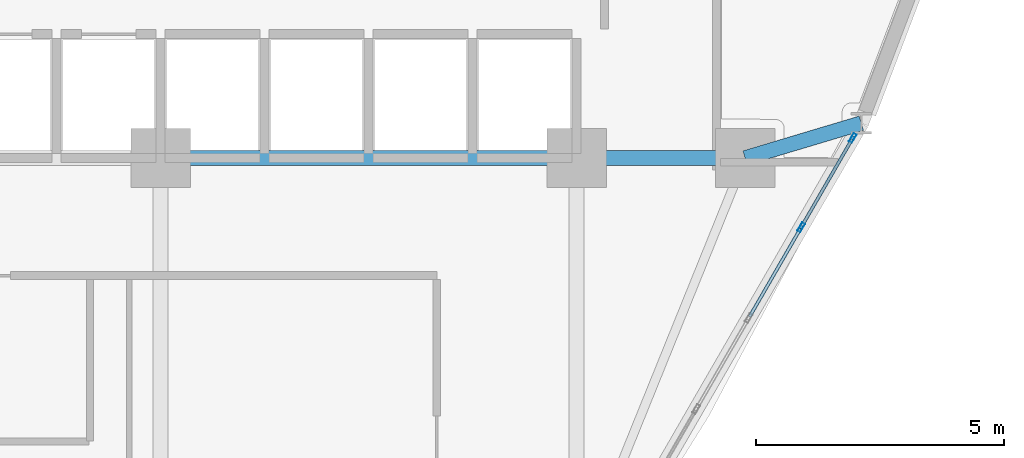
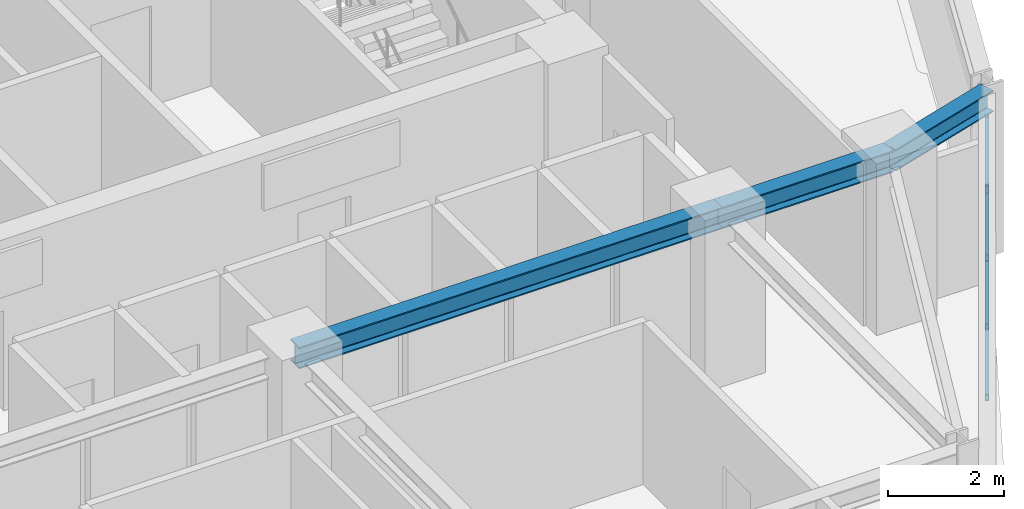
# One storey, part 8 of 18: 7 members, 3 beams, 1 element without a shape of its own.
"""IFC4 building model written with IfcOpenShell, lengths in metres."""

from ifc_helpers import new_model, si_unit, derived_unit, direction, frame, origin, origin_2d, place, context, subcontext, project, spatial, hollow_rectangle, i_section, extrude, source, transform, mapped, material, layer, layer_set, material_profile, profile_set, type_object, element, aggregate, save


model = new_model("IFC4")

# Units and contexts
model_context = context("Model", 3, precision=1e-05, world=origin(), true_north=direction((0.0, 1.0)))
body_context = subcontext(model_context, "Body", "Model", "MODEL_VIEW")
ifc_project = project(units=[si_unit("LENGTHUNIT", "METRE"), si_unit("AREAUNIT", "SQUARE_METRE"), si_unit("VOLUMEUNIT", "CUBIC_METRE"), si_unit("PLANEANGLEUNIT", "RADIAN"), si_unit("MASSUNIT", "GRAM", prefix="KILO"), derived_unit("THERMALTRANSMITTANCEUNIT", [(si_unit("POWERUNIT", "WATT"), 1), (si_unit("LENGTHUNIT", "METRE"), -2), (si_unit("THERMODYNAMICTEMPERATUREUNIT", "KELVIN"), -1)])], contexts=[model_context])

# Site, building, storey
site_placement = place(None, origin())
site = spatial("IfcSite", under=ifc_project, at=site_placement, CompositionType="ELEMENT")
building_placement = place(site_placement, origin())
building = spatial("IfcBuilding", under=site, at=building_placement, Name="Korsvarv Bourse and Concert Hall", CompositionType="ELEMENT")
storey_placement = place(building_placement, frame((0.0, 0.0, 139.800048828125)))
storey = spatial("IfcBuildingStorey", under=building, at=storey_placement, Name="L35", CompositionType="ELEMENT", Elevation=139.800048828125)

# Beams
ifc_material_1 = material(Name="Steel S355", Category="steel")
ifc_material_profile_1 = material_profile(ifc_material_1, i_section(OverallWidth=0.300048828125, OverallDepth=0.449951171875, WebThickness=0.013916015625, FlangeThickness=0.02587890625, FilletRadius=0.02099609375, at=origin_2d()), Name="HEB 450")
ifc_profile_set_1 = profile_set([ifc_material_profile_1], Name="Steel S355")
beam_type = type_object("IfcBeamType", Name="BM-HEB450", PredefinedType="SPANDREL", material=ifc_profile_set_1)
shared_shape_1 = source(origin(), body_context, "Body", "SweptSolid", [
    extrude(i_section(OverallWidth=0.300048828125, OverallDepth=0.449951171875, WebThickness=0.013916015625, FlangeThickness=0.02587890625, FilletRadius=0.02099609375, at=origin_2d()), origin(), (0.0, 0.0, 1.0), 3.400146484375),
])
beam_1_placement = place(storey_placement, frame((44.39990234375, 32.39990234375, 3.175048828125), z_axis=(1.0, 0.0, 0.0), x_axis=(0.0, 1.0, 0.0)))
element("IfcBeam", 1, at=beam_1_placement, inside=storey, type_object=beam_type, Name="L35 beam B-08", PredefinedType="SPANDREL", context=body_context, shape_type="MappedRepresentation", body=[
    mapped(shared_shape_1, transform((0.0, 0.0, 0.0), scale=1.0)),
])
shared_shape_2 = source(origin(), body_context, "Body", "SweptSolid", [
    extrude(i_section(OverallWidth=0.300048828125, OverallDepth=0.449951171875, WebThickness=0.013916015625, FlangeThickness=0.02587890625, FilletRadius=0.02099609375, at=origin_2d()), origin(), (0.0, 0.0, 1.0), 8.39990234375),
])
beam_2_placement = place(storey_placement, frame((36.0, 32.39990234375, 3.175048828125), z_axis=(1.0, 0.0, 0.0), x_axis=(0.0, 1.0, 0.0)))
element("IfcBeam", 2, at=beam_2_placement, inside=storey, type_object=beam_type, Name="L35 beam B-08", PredefinedType="SPANDREL", context=body_context, shape_type="MappedRepresentation", body=[
    mapped(shared_shape_2, transform((0.0, 0.0, 0.0), scale=1.0)),
])
shared_shape_3 = source(origin(), body_context, "Body", "SweptSolid", [
    extrude(i_section(OverallWidth=0.300048828125, OverallDepth=0.449951171875, WebThickness=0.013916015625, FlangeThickness=0.02587890625, FilletRadius=0.02099609375, at=origin_2d()), origin(), (0.0, 0.0, 1.0), 2.448974609375),
])
beam_3_placement = place(storey_placement, frame((50.14599609375, 33.1025390625, 3.175048828125), z_axis=(-0.957955150116, -0.286917985434, 0.0), x_axis=(0.286917985434, -0.957955150116, 0.0)))
element("IfcBeam", 3, at=beam_3_placement, inside=storey, type_object=beam_type, Name="L35 beam B-08", PredefinedType="SPANDREL", context=body_context, shape_type="MappedRepresentation", body=[
    mapped(shared_shape_3, transform((0.0, 0.0, 0.0), scale=1.0)),
])

# Curtain wall, members
ifc_material_2 = material(Name="Anodised aluminium and triple low-E glazing", Category="glass")
ifc_layer = layer(ifc_material_2, 0.2099609375)
ifc_layer_set = layer_set([ifc_layer], Name="Anodised aluminium and triple low-E glazing")
curtain_wall_type = type_object("IfcCurtainWallType", Name="CW-SYS-2", PredefinedType="NOTDEFINED", material=ifc_layer_set)
curtain_wall_placement = place(storey_placement, origin())
curtain_wall = element("IfcCurtainWall", 4, at=curtain_wall_placement, inside=storey, type_object=curtain_wall_type, Name="L35 CW2 curtain wall CW-L35-F11", PredefinedType="NOTDEFINED")
ifc_material_3 = material(Name="Extruded aluminium EN AW-6063 T66", Category="aluminium")
ifc_material_profile_2 = material_profile(ifc_material_3, hollow_rectangle(XDim=0.070068359375, YDim=0.18994140625, WallThickness=0.0048828125, at=origin_2d()), Name="ALU-M 70x190")
ifc_profile_set_2 = profile_set([ifc_material_profile_2], Name="Extruded aluminium EN AW-6063 T66")
member_type_1 = type_object("IfcMemberType", Name="CWM-190", PredefinedType="MULLION", material=ifc_profile_set_2)
shared_shape_4 = source(origin(), body_context, "Body", "SweptSolid", [
    extrude(hollow_rectangle(XDim=0.070068359375, YDim=0.18994140625, WallThickness=0.0048828125, at=origin_2d()), origin(), (0.0, 0.0, 1.0), 3.0),
])
member_1_placement = place(storey_placement, frame((48.9326171875, 31.00048828125, 0.0), z_axis=(0.0, 0.0, 1.0), x_axis=(-0.866025213439, 0.500000329688, 0.0)))
member_1 = element("IfcMember", 5, at=member_1_placement, type_object=member_type_1, Name="CW2 mullion 6", PredefinedType="MULLION", context=body_context, shape_type="MappedRepresentation", body=[
    mapped(shared_shape_4, transform((0.0, 0.0, 0.0), scale=1.0)),
])
member_2_placement = place(storey_placement, frame((49.97412109375, 32.8046875, 0.0), z_axis=(0.0, 0.0, 1.0), x_axis=(-0.866025213439, 0.500000329688, 0.0)))
member_2 = element("IfcMember", 6, at=member_2_placement, type_object=member_type_1, Name="CW2 mullion 7", PredefinedType="MULLION", context=body_context, shape_type="MappedRepresentation", body=[
    mapped(shared_shape_4, transform((0.0, 0.0, 0.0), scale=1.0)),
])
ifc_material_profile_3 = material_profile(ifc_material_3, hollow_rectangle(XDim=0.06494140625, YDim=0.139892578125, WallThickness=0.00390625, at=origin_2d()), Name="ALU-T 65x140")
ifc_profile_set_3 = profile_set([ifc_material_profile_3], Name="Extruded aluminium EN AW-6063 T66")
member_type_2 = type_object("IfcMemberType", Name="CWT-140", PredefinedType="USERDEFINED", material=ifc_profile_set_3)
shared_shape_5 = source(origin(), body_context, "Body", "SweptSolid", [
    extrude(hollow_rectangle(XDim=0.06494140625, YDim=0.139892578125, WallThickness=0.00390625, at=origin_2d()), origin(), (0.0, 0.0, 1.0), 2.013427734375),
])
member_3_placement = place(storey_placement, frame((48.949951171875, 31.03076171875, 0.032470703125), z_axis=(0.500051323872, 0.865995769906, 0.0), x_axis=(-0.865995769906, 0.500051323872, 0.0)))
member_3 = element("IfcMember", 7, at=member_3_placement, type_object=member_type_2, Name="CW2 transom 6.1", ObjectType="TRANSOM", PredefinedType="USERDEFINED", context=body_context, shape_type="MappedRepresentation", body=[
    mapped(shared_shape_5, transform((0.0, 0.0, 0.0), scale=1.0)),
])
member_4_placement = place(storey_placement, frame((48.949951171875, 31.03076171875, 2.967529296875), z_axis=(0.500051323872, 0.865995769906, 0.0), x_axis=(-0.865995769906, 0.500051323872, 0.0)))
member_4 = element("IfcMember", 8, at=member_4_placement, type_object=member_type_2, Name="CW2 transom 6.2", ObjectType="TRANSOM", PredefinedType="USERDEFINED", context=body_context, shape_type="MappedRepresentation", body=[
    mapped(shared_shape_5, transform((0.0, 0.0, 0.0), scale=1.0)),
])
shared_shape_6 = source(origin(), body_context, "Body", "SweptSolid", [
    extrude(hollow_rectangle(XDim=0.06494140625, YDim=0.139892578125, WallThickness=0.00390625, at=origin_2d()), origin(), (0.0, 0.0, 1.0), 2.04833984375),
])
member_5_placement = place(storey_placement, frame((47.890869140625, 29.1962890625, 0.032470703125), z_axis=(0.499997581422, 0.866026800146, 0.0), x_axis=(-0.866026800146, 0.499997581422, 0.0)))
member_5 = element("IfcMember", 9, at=member_5_placement, type_object=member_type_2, Name="CW2 transom 5.1", ObjectType="TRANSOM", PredefinedType="USERDEFINED", context=body_context, shape_type="MappedRepresentation", body=[
    mapped(shared_shape_6, transform((0.0, 0.0, 0.0), scale=1.0)),
])
member_6_placement = place(storey_placement, frame((47.890869140625, 29.1962890625, 2.967529296875), z_axis=(0.499997581422, 0.866026800146, 0.0), x_axis=(-0.866026800146, 0.499997581422, 0.0)))
member_6 = element("IfcMember", 10, at=member_6_placement, type_object=member_type_2, Name="CW2 transom 5.2", ObjectType="TRANSOM", PredefinedType="USERDEFINED", context=body_context, shape_type="MappedRepresentation", body=[
    mapped(shared_shape_6, transform((0.0, 0.0, 0.0), scale=1.0)),
])
ifc_material_profile_4 = material_profile(ifc_material_3, hollow_rectangle(XDim=0.06494140625, YDim=0.1650390625, WallThickness=0.0048828125, at=origin_2d()), Name="ALU-M 65x165")
ifc_profile_set_4 = profile_set([ifc_material_profile_4], Name="Extruded aluminium EN AW-6063 T66")
member_type_3 = type_object("IfcMemberType", Name="CWM-165", PredefinedType="MULLION", material=ifc_profile_set_4)
shared_shape_7 = source(origin(), body_context, "Body", "SweptSolid", [
    extrude(hollow_rectangle(XDim=0.06494140625, YDim=0.1650390625, WallThickness=0.0048828125, at=origin_2d()), origin(), (0.0, 0.0, 1.0), 3.505859375),
])
member_7_placement = place(storey_placement, frame((49.956787109375, 32.7744140625, 0.06494140625), z_axis=(-0.287180031175, -0.49734233333, 0.818644143185), x_axis=(0.865995769906, -0.500051323872, 0.0)))
member_7 = element("IfcMember", 11, at=member_7_placement, type_object=member_type_3, Name="CW2 diagonal mullion 6", PredefinedType="MULLION", context=body_context, shape_type="MappedRepresentation", body=[
    mapped(shared_shape_7, transform((0.0, 0.0, 0.0), scale=1.0)),
])
aggregate(curtain_wall, [member_1, member_2, member_5, member_6, member_3, member_4, member_7])

save(model, "model.ifc")
